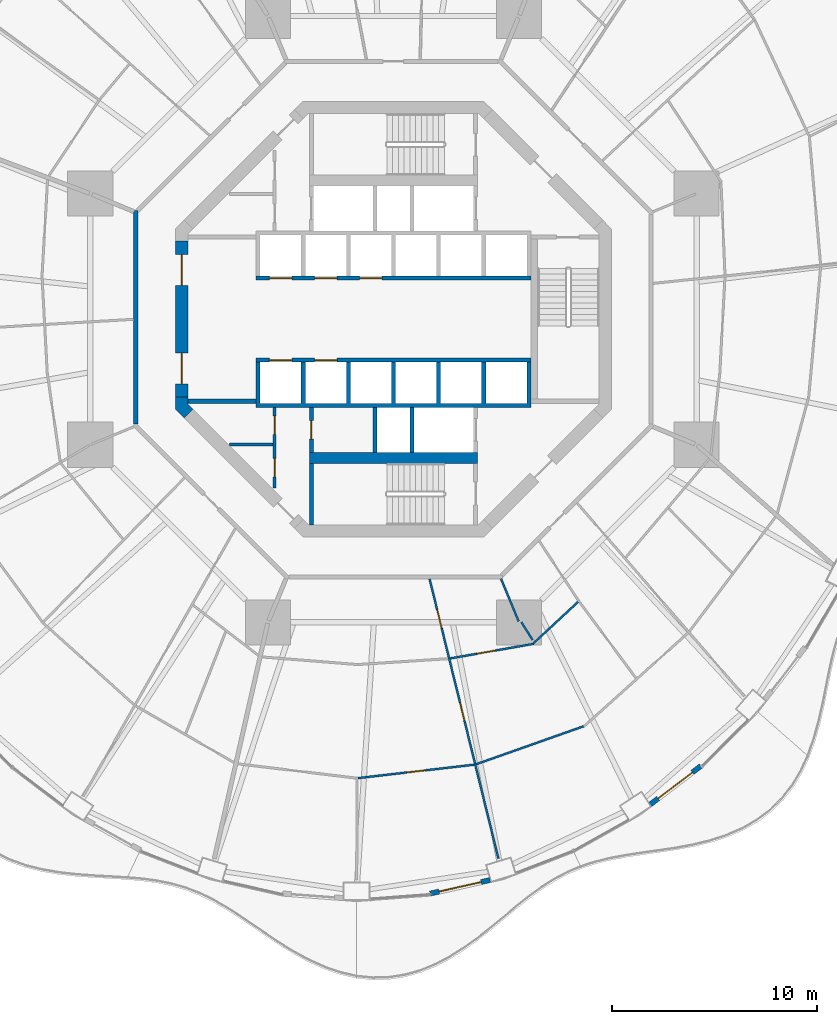
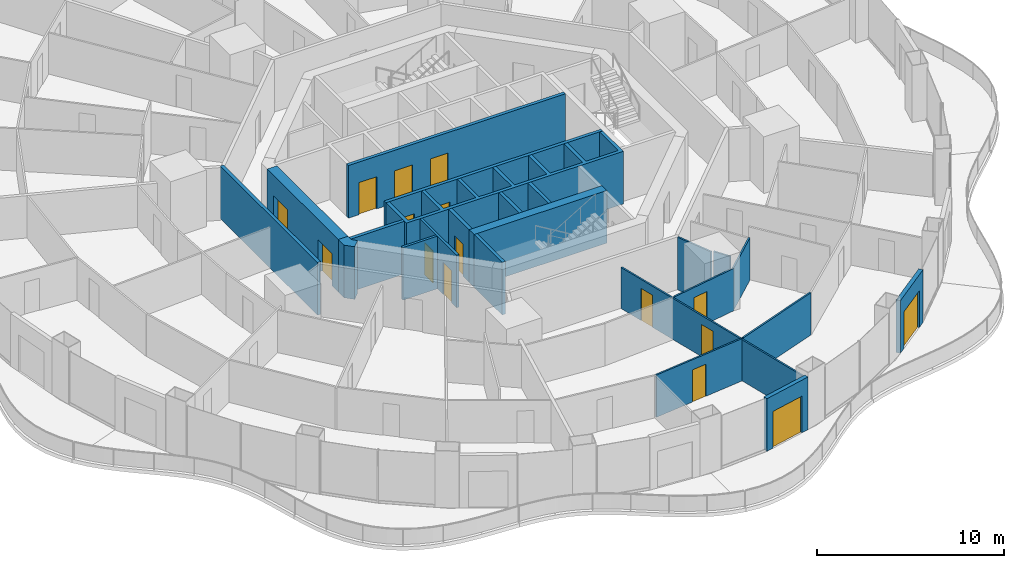
# One storey, part 16 of 24: 23 walls, 16 doors, 16 openings.
"""IFC4 building model written with IfcOpenShell, lengths in metres."""

from ifc_helpers import new_model, si_unit, direction, frame, frame_2d, origin, place, context, subcontext, project, spatial, polyline, rectangle, outline, extrude, material, layer, layer_set, type_object, element, fill, save


model = new_model("IFC4")

# Units and contexts
model_context = context("Model", 3, precision=1e-05, world=origin(), true_north=direction((0.0, 1.0)))
body_context = subcontext(model_context, "Body", "Model", "MODEL_VIEW")
ifc_project = project(units=[si_unit("LENGTHUNIT", "METRE"), si_unit("AREAUNIT", "SQUARE_METRE"), si_unit("VOLUMEUNIT", "CUBIC_METRE"), si_unit("PLANEANGLEUNIT", "RADIAN"), si_unit("MASSUNIT", "GRAM", prefix="KILO")], contexts=[model_context])

# Site, building, storey
site_placement = place(None, origin())
site = spatial("IfcSite", under=ifc_project, at=site_placement, CompositionType="ELEMENT")
building_placement = place(site_placement, origin())
building = spatial("IfcBuilding", under=site, at=building_placement, Name="Nagisa Residences", CompositionType="ELEMENT")
storey_placement = place(building_placement, frame((0.0, 0.0, 102.89990234375)))
storey = spatial("IfcBuildingStorey", under=building, at=storey_placement, Name="L25", CompositionType="ELEMENT", Elevation=102.89990234375)

# Wall
ifc_material_1 = material(Name="Gypsum board on steel studs", Category="steel")
ifc_layer_1 = layer(ifc_material_1, 0.199951171875)
ifc_layer_set_1 = layer_set([ifc_layer_1], Name="Apartment entry wall EI60 200")
wall_type_1 = type_object("IfcWallType", Name="Apartment entry wall EI60 200", PredefinedType="PARTITIONING", material=ifc_layer_set_1)
wall_1_placement = place(storey_placement, frame((-12.564697265625, 5.304443359375, 0.0), z_axis=(0.0, 0.0, 1.0), x_axis=(0.0, -1.0, 0.0)))
element("IfcWall", 1, at=wall_1_placement, inside=storey, type_object=wall_type_1, Name="wall:L25:u14", PredefinedType="PARTITIONING", context=body_context, shape_type="SweptSolid", body=[
    extrude(rectangle(XDim=10.408935546875, YDim=0.199951171875, at=frame_2d((5.20458984375, 0.0))), origin(), (0.0, 0.0, 1.0), 3.440185546875),
])

# Wall, opening, door
ifc_material_2 = material(Name="Gypsum board on steel studs", Category="steel")
ifc_layer_2 = layer(ifc_material_2, 0.10009765625)
ifc_layer_set_2 = layer_set([ifc_layer_2], Name="Apartment partition 100")
wall_type_2 = type_object("IfcWallType", Name="Apartment partition 100", PredefinedType="PARTITIONING", material=ifc_layer_set_2)
wall_2_placement = place(storey_placement, frame((-1.7255859375, -22.375244140625, 0.0), z_axis=(0.0, 0.0, 1.0), x_axis=(0.99339223329, 0.114768771187, 0.0)))
wall_2 = element("IfcWall", 2, at=wall_2_placement, inside=storey, type_object=wall_type_2, Name="wall:L25:u76", PredefinedType="PARTITIONING", context=body_context, shape_type="SweptSolid", body=[
    extrude(rectangle(XDim=5.700927734375, YDim=0.10009765625, at=frame_2d((2.8505859375, 0.0))), origin(), (0.0, 0.0, 1.0), 2.76220703125),
])
opening_1_placement = place(wall_2_placement, frame((2.400390625, 0.0, 0.0)))
opening_1 = element("IfcOpeningElement", 3, at=opening_1_placement, cuts=wall_2, Name="Opening L25-U26", PredefinedType="OPENING", context=body_context, shape_type="SweptSolid", body=[
    extrude(rectangle(XDim=0.89990234375, YDim=2.10009765625, at=frame_2d((0.449951171875, 1.050048828125))), frame((0.0, 0.06005859375, 0.0), z_axis=(0.0, -1.0, 0.0), x_axis=(1.0, 0.0, 0.0)), (0.0, 0.0, 1.0), 0.1201171875),
])
ifc_material_3 = material(Name="Timber door set", Category="wood")
door_type_1 = type_object("IfcDoorType", Name="Apartment door 900x2100", OperationType="NOTDEFINED", PredefinedType="DOOR", material=ifc_material_3)
door_1_placement = place(opening_1_placement, frame((0.89990234375, 0.0, 0.0), x_axis=(-1.0, 0.0, 0.0)))
door_1 = element("IfcDoor", 4, at=door_1_placement, inside=storey, type_object=door_type_1, Name="Door to kitchen, Apartment 25B", OperationType="SINGLE_SWING_LEFT", OverallHeight=2.10009765625, OverallWidth=0.89990234375, PredefinedType="DOOR", context=body_context, shape_type="SweptSolid", body=[
    extrude(rectangle(XDim=0.89990234375, YDim=2.10009765625, at=frame_2d((0.449951171875, 1.050048828125))), frame((0.0, 0.02490234375, 0.0), z_axis=(0.0, -1.0, 0.0), x_axis=(1.0, 0.0, 0.0)), (0.0, 0.0, 1.0), 0.050048828125),
])
fill(opening_1, door_1)

# Wall, openings, doors
wall_3_placement = place(storey_placement, frame((1.7587890625, -12.661865234375, 0.0), z_axis=(0.0, 0.0, 1.0), x_axis=(0.239021819854, -0.971014196412, 0.0)))
wall_3 = element("IfcWall", 5, at=wall_3_placement, inside=storey, type_object=wall_type_2, Name="wall:L25:u77", PredefinedType="PARTITIONING", context=body_context, shape_type="SweptSolid", body=[
    extrude(rectangle(XDim=14.049560546875, YDim=0.10009765625, at=frame_2d((7.02490234375, 0.0))), origin(), (0.0, 0.0, 1.0), 2.68701171875),
])
opening_2_placement = place(wall_3_placement, frame((6.213623046875, 0.0, 0.0)))
opening_2 = element("IfcOpeningElement", 6, at=opening_2_placement, cuts=wall_3, Name="Opening L25-U23", PredefinedType="OPENING", context=body_context, shape_type="SweptSolid", body=[
    extrude(rectangle(XDim=0.89990234375, YDim=2.10009765625, at=frame_2d((0.449951171875, 1.050048828125))), frame((0.0, 0.06005859375, 0.0), z_axis=(0.0, -1.0, 0.0), x_axis=(1.0, 0.0, 0.0)), (0.0, 0.0, 1.0), 0.1201171875),
])
opening_3_placement = place(wall_3_placement, frame((1.552001953125, 0.0, 0.0)))
opening_3 = element("IfcOpeningElement", 7, at=opening_3_placement, cuts=wall_3, Name="Opening L25-U27", PredefinedType="OPENING", context=body_context, shape_type="SweptSolid", body=[
    extrude(rectangle(XDim=0.89990234375, YDim=2.10009765625, at=frame_2d((0.449951171875, 1.050048828125))), frame((0.0, 0.06005859375, 0.0), z_axis=(0.0, -1.0, 0.0), x_axis=(1.0, 0.0, 0.0)), (0.0, 0.0, 1.0), 0.1201171875),
])
door_2_placement = place(opening_2_placement, frame((0.89990234375, 0.0, 0.0), x_axis=(-1.0, 0.0, 0.0)))
door_2 = element("IfcDoor", 8, at=door_2_placement, inside=storey, type_object=door_type_1, Name="Door to dining room, Apartment 25B", OperationType="SINGLE_SWING_RIGHT", OverallHeight=2.10009765625, OverallWidth=0.89990234375, PredefinedType="DOOR", context=body_context, shape_type="SweptSolid", body=[
    extrude(rectangle(XDim=0.89990234375, YDim=2.10009765625, at=frame_2d((0.449951171875, 1.050048828125))), frame((0.0, 0.02490234375, 0.0), z_axis=(0.0, -1.0, 0.0), x_axis=(1.0, 0.0, 0.0)), (0.0, 0.0, 1.0), 0.050048828125),
])
fill(opening_2, door_2)
door_3_placement = place(opening_3_placement, frame((0.89990234375, 0.0, 0.0), x_axis=(-1.0, 0.0, 0.0)))
door_3 = element("IfcDoor", 9, at=door_3_placement, inside=storey, type_object=door_type_1, Name="Door to store, Apartment 25B", OperationType="SINGLE_SWING_RIGHT", OverallHeight=2.10009765625, OverallWidth=0.89990234375, PredefinedType="DOOR", context=body_context, shape_type="SweptSolid", body=[
    extrude(rectangle(XDim=0.89990234375, YDim=2.10009765625, at=frame_2d((0.449951171875, 1.050048828125))), frame((0.0, 0.02490234375, 0.0), z_axis=(0.0, -1.0, 0.0), x_axis=(1.0, 0.0, 0.0)), (0.0, 0.0, 1.0), 0.050048828125),
])
fill(opening_3, door_3)

# Wall, opening, door
wall_4_placement = place(storey_placement, frame((2.76513671875, -16.541015625, 0.0), z_axis=(0.0, 0.0, 1.0), x_axis=(0.984998612286, 0.172562260633, 0.0)))
wall_4 = element("IfcWall", 10, at=wall_4_placement, inside=storey, type_object=wall_type_2, Name="wall:L25:u78", PredefinedType="PARTITIONING", context=body_context, shape_type="SweptSolid", body=[
    extrude(rectangle(XDim=4.134033203125, YDim=0.10009765625, at=frame_2d((2.06689453125, 0.0))), origin(), (0.0, 0.0, 1.0), 2.76220703125),
])
opening_4_placement = place(wall_4_placement, frame((1.343505859375, 0.0, 0.0)))
opening_4 = element("IfcOpeningElement", 11, at=opening_4_placement, cuts=wall_4, Name="Opening L25-U22", PredefinedType="OPENING", context=body_context, shape_type="SweptSolid", body=[
    extrude(rectangle(XDim=0.89990234375, YDim=2.10009765625, at=frame_2d((0.449951171875, 1.050048828125))), frame((0.0, 0.06005859375, 0.0), z_axis=(0.0, -1.0, 0.0), x_axis=(1.0, 0.0, 0.0)), (0.0, 0.0, 1.0), 0.1201171875),
])
door_4_placement = place(opening_4_placement, origin())
door_4 = element("IfcDoor", 12, at=door_4_placement, inside=storey, type_object=door_type_1, Name="Door to laundry, Apartment 25B", OperationType="SINGLE_SWING_RIGHT", OverallHeight=2.10009765625, OverallWidth=0.89990234375, PredefinedType="DOOR", context=body_context, shape_type="SweptSolid", body=[
    extrude(rectangle(XDim=0.89990234375, YDim=2.10009765625, at=frame_2d((0.449951171875, 1.050048828125))), frame((0.0, 0.02490234375, 0.0), z_axis=(0.0, -1.0, 0.0), x_axis=(1.0, 0.0, 0.0)), (0.0, 0.0, 1.0), 0.050048828125),
])
fill(opening_4, door_4)

# Walls
wall_5_placement = place(storey_placement, frame((4.034423828125, -21.698486328125, 0.0), z_axis=(0.0, 0.0, 1.0), x_axis=(0.942864271692, 0.333177077794, 0.0)))
element("IfcWall", 13, at=wall_5_placement, inside=storey, type_object=wall_type_2, Name="wall:L25:u79", PredefinedType="PARTITIONING", context=body_context, shape_type="SweptSolid", body=[
    extrude(rectangle(XDim=5.544921875, YDim=0.10009765625, at=frame_2d((2.7724609375, 0.0))), origin(), (0.0, 0.0, 1.0), 2.76220703125),
])
wall_6_placement = place(storey_placement, frame((5.24267578125, -12.6572265625, 0.0), z_axis=(0.0, 0.0, 1.0), x_axis=(0.382719158442, -0.923864733477, 0.0)))
element("IfcWall", 14, at=wall_6_placement, inside=storey, type_object=wall_type_2, Name="wall:L25:u80", PredefinedType="PARTITIONING", context=body_context, shape_type="SweptSolid", body=[
    extrude(rectangle(XDim=2.25, YDim=0.10009765625, at=frame_2d((1.125, 0.0))), origin(), (0.0, 0.0, 1.0), 3.440185546875),
])
wall_7_placement = place(storey_placement, frame((6.824462890625, -15.80224609375, 0.0), z_axis=(0.0, 0.0, 1.0), x_axis=(0.733007232109, 0.680220844782, 0.0)))
element("IfcWall", 15, at=wall_7_placement, inside=storey, type_object=wall_type_2, Name="wall:L25:u81", PredefinedType="PARTITIONING", context=body_context, shape_type="SweptSolid", body=[
    extrude(rectangle(XDim=2.96923828125, YDim=0.10009765625, at=frame_2d((1.484619140625, 0.0))), origin(), (0.0, 0.0, 1.0), 2.76220703125),
])
wall_8_placement = place(storey_placement, frame((6.781005859375, -15.637939453125, 0.0), z_axis=(0.0, 0.0, 1.0), x_axis=(-0.533419461524, 0.845850860417, 0.0)))
element("IfcWall", 16, at=wall_8_placement, inside=storey, type_object=wall_type_2, Name="wall:L25:u91", PredefinedType="PARTITIONING", context=body_context, shape_type="SweptSolid", body=[
    extrude(rectangle(XDim=1.025146484375, YDim=0.10009765625, at=frame_2d((0.5126953125, 0.0))), origin(), (0.0, 0.0, 1.0), 3.440185546875),
])

# Wall, opening, door
ifc_material_4 = material(Name="Precast concrete C40/50", Category="concrete")
ifc_layer_3 = layer(ifc_material_4, 0.25)
ifc_layer_set_3 = layer_set([ifc_layer_3], Name="BALCONY DOOR WALL 250")
wall_type_3 = type_object("IfcWallType", Name="BALCONY DOOR WALL 250", PredefinedType="SOLIDWALL", material=ifc_layer_set_3)
wall_9_placement = place(storey_placement, frame((4.70654296875, -27.344970703125, 0.0), z_axis=(0.0, 0.0, 1.0), x_axis=(-0.975317607872, -0.220806620767, 0.0)))
wall_9 = element("IfcWall", 17, at=wall_9_placement, inside=storey, type_object=wall_type_3, Name="wall:L25:bay37", PredefinedType="SOLIDWALL", context=body_context, shape_type="SweptSolid", body=[
    extrude(rectangle(XDim=2.9931640625, YDim=0.25, at=frame_2d((1.49658203125, 0.0))), origin(), (0.0, 0.0, 1.0), 3.440185546875),
])
opening_5_placement = place(wall_9_placement, frame((0.446533203125, 0.0, 0.0)))
opening_5 = element("IfcOpeningElement", 18, at=opening_5_placement, cuts=wall_9, Name="Opening BD-L25-13", PredefinedType="OPENING", context=body_context, shape_type="SweptSolid", body=[
    extrude(rectangle(XDim=2.10009765625, YDim=2.39990234375, at=frame_2d((1.050048828125, 1.199951171875))), frame((0.0, 0.135009765625, 0.0), z_axis=(0.0, -1.0, 0.0), x_axis=(1.0, 0.0, 0.0)), (0.0, 0.0, 1.0), 0.27001953125),
])
ifc_material_5 = material(Name="Aluminium and clear glass", Category="aluminium")
door_type_2 = type_object("IfcDoorType", Name="BALCONY SLIDING DOOR 2100x2400", OperationType="SLIDING_TO_LEFT", PredefinedType="DOOR", material=ifc_material_5)
door_5_placement = place(opening_5_placement, origin())
door_5 = element("IfcDoor", 19, at=door_5_placement, inside=storey, type_object=door_type_2, Name="door:L25:bay37", OperationType="SLIDING_TO_LEFT", OverallHeight=2.39990234375, OverallWidth=2.10009765625, PredefinedType="DOOR", context=body_context, shape_type="SweptSolid", body=[
    extrude(rectangle(XDim=2.10009765625, YDim=2.39990234375, at=frame_2d((1.050048828125, 1.199951171875))), frame((0.0, 0.02490234375, 0.0), z_axis=(0.0, -1.0, 0.0), x_axis=(1.0, 0.0, 0.0)), (0.0, 0.0, 1.0), 0.050048828125),
])
fill(opening_5, door_5)

wall_10_placement = place(storey_placement, frame((14.98388671875, -21.785400390625, 0.0), z_axis=(0.0, 0.0, 1.0), x_axis=(-0.796037575978, -0.605247203736, 0.0)))
wall_10 = element("IfcWall", 20, at=wall_10_placement, inside=storey, type_object=wall_type_3, Name="wall:L25:bay40", PredefinedType="SOLIDWALL", context=body_context, shape_type="SweptSolid", body=[
    extrude(rectangle(XDim=3.1337890625, YDim=0.25, at=frame_2d((1.56689453125, 0.0))), origin(), (0.0, 0.0, 1.0), 3.440185546875),
])
opening_6_placement = place(wall_10_placement, frame((0.51708984375, 0.0, 0.0)))
opening_6 = element("IfcOpeningElement", 21, at=opening_6_placement, cuts=wall_10, Name="Opening BD-L25-14", PredefinedType="OPENING", context=body_context, shape_type="SweptSolid", body=[
    extrude(rectangle(XDim=2.10009765625, YDim=2.39990234375, at=frame_2d((1.050048828125, 1.199951171875))), frame((0.0, 0.135009765625, 0.0), z_axis=(0.0, -1.0, 0.0), x_axis=(1.0, 0.0, 0.0)), (0.0, 0.0, 1.0), 0.27001953125),
])
door_6_placement = place(opening_6_placement, origin())
door_6 = element("IfcDoor", 22, at=door_6_placement, inside=storey, type_object=door_type_2, Name="door:L25:bay40", OperationType="SLIDING_TO_LEFT", OverallHeight=2.39990234375, OverallWidth=2.10009765625, PredefinedType="DOOR", context=body_context, shape_type="SweptSolid", body=[
    extrude(rectangle(XDim=2.10009765625, YDim=2.39990234375, at=frame_2d((1.050048828125, 1.199951171875))), frame((0.0, 0.02490234375, 0.0), z_axis=(0.0, -1.0, 0.0), x_axis=(1.0, 0.0, 0.0)), (0.0, 0.0, 1.0), 0.050048828125),
])
fill(opening_6, door_6)

# Wall, openings, doors
ifc_material_6 = material(Name="Gypsum board on steel studs", Category="steel")
ifc_layer_4 = layer(ifc_material_6, 0.14990234375)
ifc_layer_set_4 = layer_set([ifc_layer_4], Name="Core partition 150")
wall_type_4 = type_object("IfcWallType", Name="Core partition 150", PredefinedType="PARTITIONING", material=ifc_layer_set_4)
wall_11_placement = place(storey_placement, frame((-5.800048828125, -8.22705078125, 0.0), z_axis=(0.0, 0.0, 1.0), x_axis=(0.0, 1.0, 0.0)))
wall_11 = element("IfcWall", 23, at=wall_11_placement, inside=storey, type_object=wall_type_4, Name="wall:L25:SWp", PredefinedType="PARTITIONING", context=body_context, shape_type="SweptSolid", body=[
    extrude(rectangle(XDim=3.927001953125, YDim=0.14990234375, at=frame_2d((1.96337890625, 0.0))), origin(), (0.0, 0.0, 1.0), 3.440185546875),
])
opening_7_placement = place(wall_11_placement, frame((2.614501953125, 0.0, 0.0)))
opening_7 = element("IfcOpeningElement", 24, at=opening_7_placement, cuts=wall_11, Name="Opening L25-C14", PredefinedType="OPENING", context=body_context, shape_type="SweptSolid", body=[
    extrude(rectangle(XDim=0.89990234375, YDim=2.10009765625, at=frame_2d((0.449951171875, 1.050048828125))), frame((0.0, 0.0849609375, 0.0), z_axis=(0.0, -1.0, 0.0), x_axis=(1.0, 0.0, 0.0)), (0.0, 0.0, 1.0), 0.169921875),
])
opening_8_placement = place(wall_11_placement, frame((0.53857421875, 0.0, 0.0)))
opening_8 = element("IfcOpeningElement", 25, at=opening_8_placement, cuts=wall_11, Name="Opening L25-C15", PredefinedType="OPENING", context=body_context, shape_type="SweptSolid", body=[
    extrude(rectangle(XDim=0.89990234375, YDim=2.10009765625, at=frame_2d((0.449951171875, 1.050048828125))), frame((0.0, 0.0849609375, 0.0), z_axis=(0.0, -1.0, 0.0), x_axis=(1.0, 0.0, 0.0)), (0.0, 0.0, 1.0), 0.169921875),
])
ifc_material_7 = material(Name="Steel fire door", Category="steel")
door_type_3 = type_object("IfcDoorType", Name="Fire door EI30 900x2100 single swing", OperationType="NOTDEFINED", PredefinedType="DOOR", material=ifc_material_7)
door_7_placement = place(opening_7_placement, origin())
door_7 = element("IfcDoor", 26, at=door_7_placement, inside=storey, type_object=door_type_3, Name="Janitor door L25", OperationType="SINGLE_SWING_RIGHT", OverallHeight=2.10009765625, OverallWidth=0.89990234375, PredefinedType="DOOR", context=body_context, shape_type="SweptSolid", body=[
    extrude(rectangle(XDim=0.89990234375, YDim=2.10009765625, at=frame_2d((0.449951171875, 1.050048828125))), frame((0.0, 0.02490234375, 0.0), z_axis=(0.0, -1.0, 0.0), x_axis=(1.0, 0.0, 0.0)), (0.0, 0.0, 1.0), 0.050048828125),
])
fill(opening_7, door_7)
door_8_placement = place(opening_8_placement, origin())
door_8 = element("IfcDoor", 27, at=door_8_placement, inside=storey, type_object=door_type_3, Name="Electrical room door L25", OperationType="SINGLE_SWING_RIGHT", OverallHeight=2.10009765625, OverallWidth=0.89990234375, PredefinedType="DOOR", context=body_context, shape_type="SweptSolid", body=[
    extrude(rectangle(XDim=0.89990234375, YDim=2.10009765625, at=frame_2d((0.449951171875, 1.050048828125))), frame((0.0, 0.02490234375, 0.0), z_axis=(0.0, -1.0, 0.0), x_axis=(1.0, 0.0, 0.0)), (0.0, 0.0, 1.0), 0.050048828125),
])
fill(opening_8, door_8)

# Walls
wall_12_placement = place(storey_placement, frame((-8.0009765625, -6.10009765625, 0.0), z_axis=(0.0, 0.0, 1.0), x_axis=(1.0, 0.0, 0.0)))
element("IfcWall", 28, at=wall_12_placement, inside=storey, type_object=wall_type_4, Name="wall:L25:SWq", PredefinedType="PARTITIONING", context=body_context, shape_type="SweptSolid", body=[
    extrude(rectangle(XDim=2.1259765625, YDim=0.14990234375, at=frame_2d((1.06298828125, 0.0))), origin(), (0.0, 0.0, 1.0), 3.440185546875),
])
ifc_material_8 = material(Name="Gypsum board on steel studs", Category="steel")
ifc_layer_5 = layer(ifc_material_8, 0.199951171875)
ifc_layer_set_5 = layer_set([ifc_layer_5], Name="Core partition 200")
wall_type_5 = type_object("IfcWallType", Name="Core partition 200", PredefinedType="PARTITIONING", material=ifc_layer_set_5)
wall_13_placement = place(storey_placement, frame((-10.024658203125, -4.0, 0.0), z_axis=(0.0, 0.0, 1.0), x_axis=(1.0, 0.0, 0.0)))
element("IfcWall", 29, at=wall_13_placement, inside=storey, type_object=wall_type_5, Name="wall:L25:PSW", PredefinedType="PARTITIONING", context=body_context, shape_type="SweptSolid", body=[
    extrude(rectangle(XDim=3.32470703125, YDim=0.199951171875, at=frame_2d((1.662353515625, 0.0))), origin(), (0.0, 0.0, 1.0), 3.440185546875),
])

# Wall, openings, doors
ifc_material_9 = material(Name="Concrete C60", Category="concrete")
ifc_layer_6 = layer(ifc_material_9, 0.60009765625)
ifc_layer_set_6 = layer_set([ifc_layer_6], Name="Core shear wall 600")
wall_type_6 = type_object("IfcWallType", Name="Core shear wall 600", PredefinedType="SHEAR", material=ifc_layer_set_6)
wall_14_placement = place(storey_placement, frame((-10.32470703125, 3.80078125, 0.0), z_axis=(0.0, 0.0, 1.0), x_axis=(0.0, -1.0, 0.0)))
wall_14 = element("IfcWall", 30, at=wall_14_placement, inside=storey, type_object=wall_type_6, Name="wall:L25:core:flat4", PredefinedType="SHEAR", context=body_context, shape_type="SweptSolid", body=[
    extrude(rectangle(XDim=7.6015625, YDim=0.60009765625, at=frame_2d((3.80078125, 0.0))), origin(), (0.0, 0.0, 1.0), 3.440185546875),
])
opening_9_placement = place(wall_14_placement, frame((0.65087890625, 0.0, 0.0)))
opening_9 = element("IfcOpeningElement", 31, at=opening_9_placement, cuts=wall_14, Name="Opening L25-C19", PredefinedType="OPENING", context=body_context, shape_type="SweptSolid", body=[
    extrude(rectangle(XDim=1.5, YDim=2.10009765625, at=frame_2d((0.75, 1.050048828125))), frame((0.0, 0.31005859375, 0.0), z_axis=(0.0, -1.0, 0.0), x_axis=(1.0, 0.0, 0.0)), (0.0, 0.0, 1.0), 0.6201171875),
])
opening_10_placement = place(wall_14_placement, frame((5.450927734375, 0.0, 0.0)))
opening_10 = element("IfcOpeningElement", 32, at=opening_10_placement, cuts=wall_14, Name="Opening L25-C20", PredefinedType="OPENING", context=body_context, shape_type="SweptSolid", body=[
    extrude(rectangle(XDim=1.5, YDim=2.10009765625, at=frame_2d((0.75, 1.050048828125))), frame((0.0, 0.31005859375, 0.0), z_axis=(0.0, -1.0, 0.0), x_axis=(1.0, 0.0, 0.0)), (0.0, 0.0, 1.0), 0.6201171875),
])
ifc_material_10 = material(Name="Steel fire door", Category="steel")
door_type_4 = type_object("IfcDoorType", Name="Fire door EI60 1500x2100 double door single swing", OperationType="DOUBLE_DOOR_SINGLE_SWING", PredefinedType="DOOR", material=ifc_material_10)
door_9_placement = place(opening_9_placement, origin())
door_9 = element("IfcDoor", 33, at=door_9_placement, inside=storey, type_object=door_type_4, Name="Lift lobby door L25 1", OperationType="DOUBLE_DOOR_SINGLE_SWING", OverallHeight=2.10009765625, OverallWidth=1.5, PredefinedType="DOOR", context=body_context, shape_type="SweptSolid", body=[
    extrude(rectangle(XDim=1.5, YDim=2.10009765625, at=frame_2d((0.75, 1.050048828125))), frame((0.0, 0.02490234375, 0.0), z_axis=(0.0, -1.0, 0.0), x_axis=(1.0, 0.0, 0.0)), (0.0, 0.0, 1.0), 0.050048828125),
])
fill(opening_9, door_9)
door_10_placement = place(opening_10_placement, origin())
door_10 = element("IfcDoor", 34, at=door_10_placement, inside=storey, type_object=door_type_4, Name="Lift lobby door L25 2", OperationType="DOUBLE_DOOR_SINGLE_SWING", OverallHeight=2.10009765625, OverallWidth=1.5, PredefinedType="DOOR", context=body_context, shape_type="SweptSolid", body=[
    extrude(rectangle(XDim=1.5, YDim=2.10009765625, at=frame_2d((0.75, 1.050048828125))), frame((0.0, 0.02490234375, 0.0), z_axis=(0.0, -1.0, 0.0), x_axis=(1.0, 0.0, 0.0)), (0.0, 0.0, 1.0), 0.050048828125),
])
fill(opening_10, door_10)

# Wall
wall_15_placement = place(storey_placement, origin())
element("IfcWall", 35, at=wall_15_placement, inside=storey, type_object=wall_type_6, Name="wall:L25:core:pier4", PredefinedType="SHEAR", context=body_context, shape_type="SweptSolid", body=[
    extrude(outline(polyline([(-10.62451171875, -3.80078125), (-10.024658203125, -3.80078125), (-10.024658203125, -4.15234375), (-9.776123046875, -4.40087890625), (-10.200439453125, -4.8251953125), (-10.62451171875, -4.40087890625), (-10.62451171875, -3.80078125)])), origin(), (0.0, 0.0, 1.0), 3.440185546875),
])

# Wall, openings, doors
ifc_material_11 = material(Name="Concrete C60", Category="concrete")
ifc_layer_7 = layer(ifc_material_11, 0.199951171875)
ifc_layer_set_7 = layer_set([ifc_layer_7], Name="Lift shaft wall 200")
wall_type_7 = type_object("IfcWallType", Name="Lift shaft wall 200", PredefinedType="SOLIDWALL", material=ifc_layer_set_7)
wall_16_placement = place(storey_placement, frame((-6.699951171875, 2.0, 0.0), z_axis=(0.0, 0.0, 1.0), x_axis=(1.0, 0.0, 0.0)))
wall_16 = element("IfcWall", 36, at=wall_16_placement, inside=storey, type_object=wall_type_7, Name="wall:L25:Nfront", PredefinedType="SOLIDWALL", context=body_context, shape_type="SweptSolid", body=[
    extrude(rectangle(XDim=13.39990234375, YDim=0.199951171875, at=frame_2d((6.699951171875, 0.0))), origin(), (0.0, 0.0, 1.0), 3.440185546875),
])
opening_11_placement = place(wall_16_placement, frame((0.64990234375, 0.0, 0.0)))
opening_11 = element("IfcOpeningElement", 37, at=opening_11_placement, cuts=wall_16, Name="Opening L25-C01", PredefinedType="OPENING", context=body_context, shape_type="SweptSolid", body=[
    extrude(rectangle(XDim=1.10009765625, YDim=2.10009765625, at=frame_2d((0.550048828125, 1.050048828125))), frame((0.0, 0.10986328125, 0.0), z_axis=(0.0, -1.0, 0.0), x_axis=(1.0, 0.0, 0.0)), (0.0, 0.0, 1.0), 0.219970703125),
])
opening_12_placement = place(wall_16_placement, frame((2.85009765625, 0.0, 0.0)))
opening_12 = element("IfcOpeningElement", 38, at=opening_12_placement, cuts=wall_16, Name="Opening L25-C02", PredefinedType="OPENING", context=body_context, shape_type="SweptSolid", body=[
    extrude(rectangle(XDim=1.10009765625, YDim=2.10009765625, at=frame_2d((0.550048828125, 1.050048828125))), frame((0.0, 0.10986328125, 0.0), z_axis=(0.0, -1.0, 0.0), x_axis=(1.0, 0.0, 0.0)), (0.0, 0.0, 1.0), 0.219970703125),
])
opening_13_placement = place(wall_16_placement, frame((5.050048828125, 0.0, 0.0)))
opening_13 = element("IfcOpeningElement", 39, at=opening_13_placement, cuts=wall_16, Name="Opening L25-C03", PredefinedType="OPENING", context=body_context, shape_type="SweptSolid", body=[
    extrude(rectangle(XDim=1.10009765625, YDim=2.10009765625, at=frame_2d((0.550048828125, 1.050048828125))), frame((0.0, 0.10986328125, 0.0), z_axis=(0.0, -1.0, 0.0), x_axis=(1.0, 0.0, 0.0)), (0.0, 0.0, 1.0), 0.219970703125),
])
ifc_material_12 = material(Name="Stainless steel", Category="steel")
door_type_5 = type_object("IfcDoorType", Name="Lift landing door 1100x2100", OperationType="DOUBLE_DOOR_SLIDING", PredefinedType="DOOR", material=ifc_material_12)
door_11_placement = place(opening_11_placement, origin())
door_11 = element("IfcDoor", 40, at=door_11_placement, inside=storey, type_object=door_type_5, Name="Landing door A1 L25", OperationType="DOUBLE_DOOR_SLIDING", OverallHeight=2.10009765625, OverallWidth=1.10009765625, PredefinedType="DOOR", context=body_context, shape_type="SweptSolid", body=[
    extrude(rectangle(XDim=1.10009765625, YDim=2.10009765625, at=frame_2d((0.550048828125, 1.050048828125))), frame((0.0, 0.02490234375, 0.0), z_axis=(0.0, -1.0, 0.0), x_axis=(1.0, 0.0, 0.0)), (0.0, 0.0, 1.0), 0.050048828125),
])
fill(opening_11, door_11)
door_12_placement = place(opening_12_placement, origin())
door_12 = element("IfcDoor", 41, at=door_12_placement, inside=storey, type_object=door_type_5, Name="Landing door A2 L25", OperationType="DOUBLE_DOOR_SLIDING", OverallHeight=2.10009765625, OverallWidth=1.10009765625, PredefinedType="DOOR", context=body_context, shape_type="SweptSolid", body=[
    extrude(rectangle(XDim=1.10009765625, YDim=2.10009765625, at=frame_2d((0.550048828125, 1.050048828125))), frame((0.0, 0.02490234375, 0.0), z_axis=(0.0, -1.0, 0.0), x_axis=(1.0, 0.0, 0.0)), (0.0, 0.0, 1.0), 0.050048828125),
])
fill(opening_12, door_12)
door_13_placement = place(opening_13_placement, origin())
door_13 = element("IfcDoor", 42, at=door_13_placement, inside=storey, type_object=door_type_5, Name="Landing door A3 L25", OperationType="DOUBLE_DOOR_SLIDING", OverallHeight=2.10009765625, OverallWidth=1.10009765625, PredefinedType="DOOR", context=body_context, shape_type="SweptSolid", body=[
    extrude(rectangle(XDim=1.10009765625, YDim=2.10009765625, at=frame_2d((0.550048828125, 1.050048828125))), frame((0.0, 0.02490234375, 0.0), z_axis=(0.0, -1.0, 0.0), x_axis=(1.0, 0.0, 0.0)), (0.0, 0.0, 1.0), 0.050048828125),
])
fill(opening_13, door_13)

# Wall, opening, door
wall_17_placement = place(storey_placement, frame((-4.0, -6.5, 0.0), z_axis=(0.0, 0.0, 1.0), x_axis=(0.0, 1.0, 0.0)))
wall_17 = element("IfcWall", 43, at=wall_17_placement, inside=storey, type_object=wall_type_7, Name="wall:L25:Sb4", PredefinedType="SOLIDWALL", context=body_context, shape_type="SweptSolid", body=[
    extrude(rectangle(XDim=2.199951171875, YDim=0.199951171875, at=frame_2d((1.10009765625, 0.0))), origin(), (0.0, 0.0, 1.0), 3.440185546875),
])
opening_14_placement = place(wall_17_placement, frame((0.64990234375, 0.0, 0.0)))
opening_14 = element("IfcOpeningElement", 44, at=opening_14_placement, cuts=wall_17, Name="Opening L25-C16", PredefinedType="OPENING", context=body_context, shape_type="SweptSolid", body=[
    extrude(rectangle(XDim=0.89990234375, YDim=2.10009765625, at=frame_2d((0.449951171875, 1.050048828125))), frame((0.0, 0.10986328125, 0.0), z_axis=(0.0, -1.0, 0.0), x_axis=(1.0, 0.0, 0.0)), (0.0, 0.0, 1.0), 0.219970703125),
])
door_14_placement = place(opening_14_placement, frame((0.89990234375, 0.0, 0.0), x_axis=(-1.0, 0.0, 0.0)))
door_14 = element("IfcDoor", 45, at=door_14_placement, inside=storey, type_object=door_type_3, Name="Refuse room door L25", OperationType="SINGLE_SWING_RIGHT", OverallHeight=2.10009765625, OverallWidth=0.89990234375, PredefinedType="DOOR", context=body_context, shape_type="SweptSolid", body=[
    extrude(rectangle(XDim=0.89990234375, YDim=2.10009765625, at=frame_2d((0.449951171875, 1.050048828125))), frame((0.0, 0.02490234375, 0.0), z_axis=(0.0, -1.0, 0.0), x_axis=(1.0, 0.0, 0.0)), (0.0, 0.0, 1.0), 0.050048828125),
])
fill(opening_14, door_14)

# Wall, openings, doors
wall_18_placement = place(storey_placement, frame((-6.699951171875, -2.0, 0.0), z_axis=(0.0, 0.0, 1.0), x_axis=(1.0, 0.0, 0.0)))
wall_18 = element("IfcWall", 46, at=wall_18_placement, inside=storey, type_object=wall_type_7, Name="wall:L25:Sfront", PredefinedType="SOLIDWALL", context=body_context, shape_type="SweptSolid", body=[
    extrude(rectangle(XDim=13.39990234375, YDim=0.199951171875, at=frame_2d((6.699951171875, 0.0))), origin(), (0.0, 0.0, 1.0), 3.440185546875),
])
opening_15_placement = place(wall_18_placement, frame((0.64990234375, 0.0, 0.0)))
opening_15 = element("IfcOpeningElement", 47, at=opening_15_placement, cuts=wall_18, Name="Opening L25-C04", PredefinedType="OPENING", context=body_context, shape_type="SweptSolid", body=[
    extrude(rectangle(XDim=1.10009765625, YDim=2.10009765625, at=frame_2d((0.550048828125, 1.050048828125))), frame((0.0, 0.10986328125, 0.0), z_axis=(0.0, -1.0, 0.0), x_axis=(1.0, 0.0, 0.0)), (0.0, 0.0, 1.0), 0.219970703125),
])
opening_16_placement = place(wall_18_placement, frame((2.85009765625, 0.0, 0.0)))
opening_16 = element("IfcOpeningElement", 48, at=opening_16_placement, cuts=wall_18, Name="Opening L25-C05", PredefinedType="OPENING", context=body_context, shape_type="SweptSolid", body=[
    extrude(rectangle(XDim=1.10009765625, YDim=2.10009765625, at=frame_2d((0.550048828125, 1.050048828125))), frame((0.0, 0.10986328125, 0.0), z_axis=(0.0, -1.0, 0.0), x_axis=(1.0, 0.0, 0.0)), (0.0, 0.0, 1.0), 0.219970703125),
])
door_15_placement = place(opening_15_placement, origin())
door_15 = element("IfcDoor", 49, at=door_15_placement, inside=storey, type_object=door_type_5, Name="Landing door A4 L25", OperationType="DOUBLE_DOOR_SLIDING", OverallHeight=2.10009765625, OverallWidth=1.10009765625, PredefinedType="DOOR", context=body_context, shape_type="SweptSolid", body=[
    extrude(rectangle(XDim=1.10009765625, YDim=2.10009765625, at=frame_2d((0.550048828125, 1.050048828125))), frame((0.0, 0.02490234375, 0.0), z_axis=(0.0, -1.0, 0.0), x_axis=(1.0, 0.0, 0.0)), (0.0, 0.0, 1.0), 0.050048828125),
])
fill(opening_15, door_15)
door_16_placement = place(opening_16_placement, origin())
door_16 = element("IfcDoor", 50, at=door_16_placement, inside=storey, type_object=door_type_5, Name="Landing door A5 L25", OperationType="DOUBLE_DOOR_SLIDING", OverallHeight=2.10009765625, OverallWidth=1.10009765625, PredefinedType="DOOR", context=body_context, shape_type="SweptSolid", body=[
    extrude(rectangle(XDim=1.10009765625, YDim=2.10009765625, at=frame_2d((0.550048828125, 1.050048828125))), frame((0.0, 0.02490234375, 0.0), z_axis=(0.0, -1.0, 0.0), x_axis=(1.0, 0.0, 0.0)), (0.0, 0.0, 1.0), 0.050048828125),
])
fill(opening_16, door_16)

# Walls
for number, where, z_axis, x_axis, name in (
    (51, (-0.89990234375, -6.5, 0.0), (0.0, 0.0, 1.0), (0.0, 1.0, 0.0), "wall:L25:Sb1"),
    (52, (0.89990234375, -6.5, 0.0), (0.0, 0.0, 1.0), (0.0, 1.0, 0.0), "wall:L25:Sb2"),
):
    element("IfcWall", number, at=place(storey_placement, frame(where, z_axis=z_axis, x_axis=x_axis)), inside=storey, type_object=wall_type_7, Name=name, PredefinedType="SOLIDWALL", context=body_context, shape_type="SweptSolid", body=[
        extrude(rectangle(XDim=2.199951171875, YDim=0.199951171875, at=frame_2d((1.10009765625, 0.0))), origin(), (0.0, 0.0, 1.0), 3.440185546875),
    ])
wall_19_placement = place(storey_placement, origin())
element("IfcWall", 53, at=wall_19_placement, inside=storey, type_object=wall_type_7, Name="wall:L25:Sback", PredefinedType="SOLIDWALL", context=body_context, shape_type="SweptSolid", body=[
    extrude(outline(polyline([(-6.699951171875, -2.10009765625), (-6.5, -2.10009765625), (-6.5, -4.10009765625), (-4.5, -4.10009765625), (-4.5, -2.10009765625), (-4.300048828125, -2.10009765625), (-4.300048828125, -4.10009765625), (-2.300048828125, -4.10009765625), (-2.300048828125, -2.10009765625), (-2.10009765625, -2.10009765625), (-2.10009765625, -4.10009765625), (-0.10009765625, -4.10009765625), (-0.10009765625, -2.10009765625), (0.10009765625, -2.10009765625), (0.10009765625, -4.10009765625), (2.10009765625, -4.10009765625), (2.10009765625, -2.10009765625), (2.300048828125, -2.10009765625), (2.300048828125, -4.10009765625), (4.300048828125, -4.10009765625), (4.300048828125, -2.10009765625), (4.5, -2.10009765625), (4.5, -4.10009765625), (6.5, -4.10009765625), (6.5, -2.10009765625), (6.699951171875, -2.10009765625), (6.699951171875, -4.300048828125), (-6.699951171875, -4.300048828125), (-6.699951171875, -2.10009765625)])), origin(), (0.0, 0.0, 1.0), 3.440185546875),
])
ifc_material_13 = material(Name="Concrete C60", Category="concrete")
ifc_layer_8 = layer(ifc_material_13, 0.199951171875)
ifc_layer_set_8 = layer_set([ifc_layer_8], Name="Stair enclosure wall 200")
wall_type_8 = type_object("IfcWallType", Name="Stair enclosure wall 200", PredefinedType="SOLIDWALL", material=ifc_layer_set_8)
wall_20_placement = place(storey_placement, origin())
element("IfcWall", 54, at=wall_20_placement, inside=storey, type_object=wall_type_8, Name="wall:L25:SS_w", PredefinedType="SOLIDWALL", context=body_context, shape_type="SweptSolid", body=[
    extrude(outline(polyline([(-3.89990234375, -10.024658203125), (-4.10009765625, -10.024658203125), (-4.10009765625, -7.024658203125), (-3.89990234375, -7.024658203125), (-3.89990234375, -10.024658203125)])), origin(), (0.0, 0.0, 1.0), 3.440185546875),
])
wall_21_placement = place(storey_placement, origin())
element("IfcWall", 55, at=wall_21_placement, inside=storey, type_object=wall_type_8, Name="wall:L25:SS_n", PredefinedType="SOLIDWALL", context=body_context, shape_type="SweptSolid", body=[
    extrude(outline(polyline([(4.10009765625, -7.024658203125), (-4.10009765625, -7.024658203125), (-4.10009765625, -6.5), (4.10009765625, -6.5), (4.10009765625, -7.024658203125)])), origin(), (0.0, 0.0, 1.0), 3.440185546875),
])

save(model, "model.ifc")
